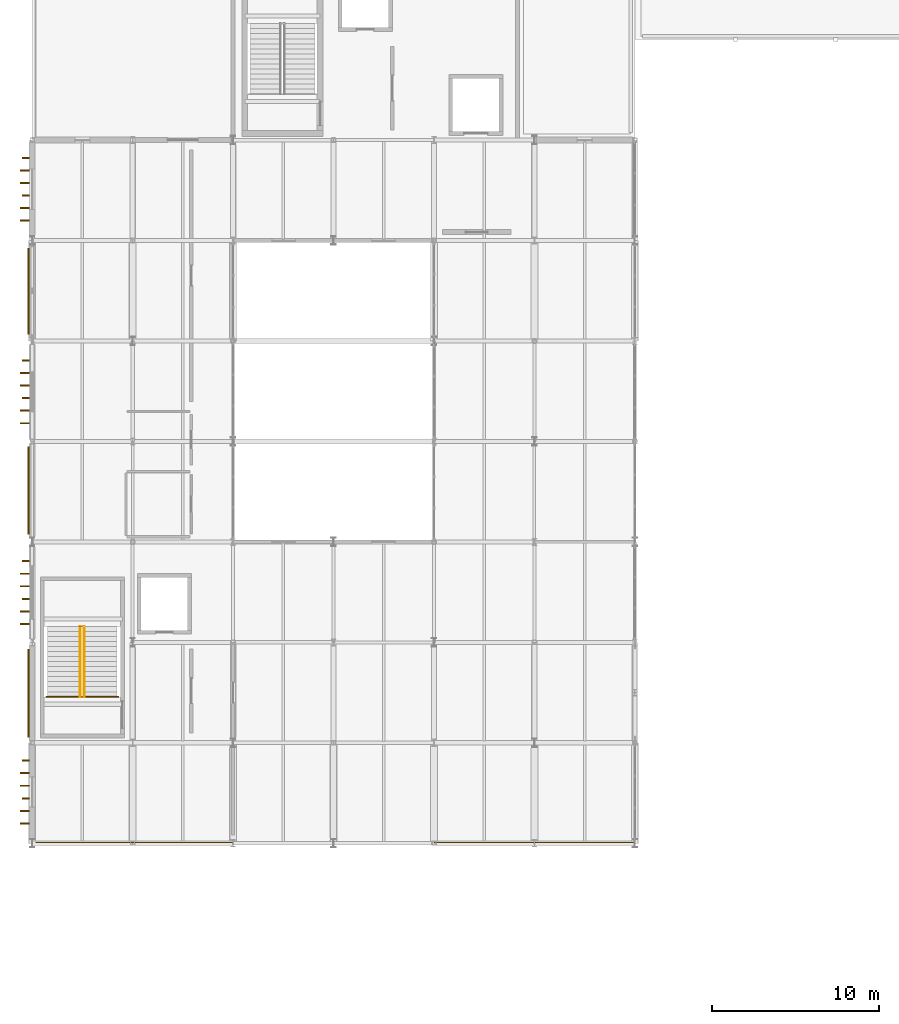
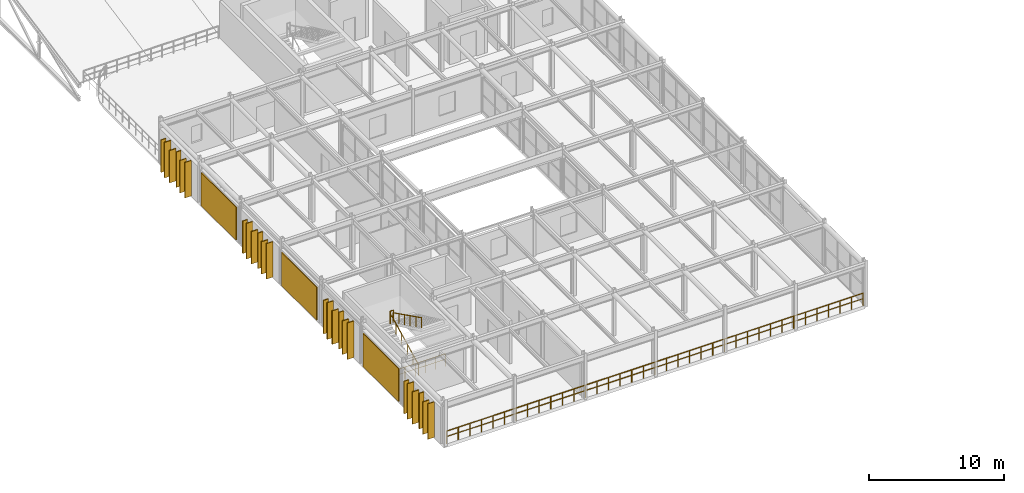
# One storey, part 74 of 83: 24 coverings, 5 railings, 3 shading devices.
"""IFC4 building model written with IfcOpenShell, lengths in metres."""

import ifcopenshell
import ifcopenshell.guid

model = None  # the IFC model being written
_history = None  # IfcOwnerHistory: only IFC2X3 demands one
_inside = {}  # id of a spatial element -> (the spatial element, [elements in it])
_under = {}  # id of a project, library or spatial element -> (it, [spatial elements below it])
_declared = {}  # id of a project -> (the project, [libraries it declares])
_typed = {}  # id of a type object -> (the type object, [elements of that type])
_made_of = {}  # id of a material, layer set ... -> (it, [elements and type objects made of it])


def new_model(schema):
    """Start an empty IFC model of exactly this schema.

    Asked for "IFC4X3", IfcOpenShell would pick the latest addendum, in which some entities
    have other attributes; the version numbers below select the first issue.
    IFC2X3 requires an IfcOwnerHistory on every rooted entity: one is made here for all.
    """
    global model, _history
    if schema == "IFC4X3":
        model = ifcopenshell.file(schema_version=(4, 3, 0, 0))
    else:
        model = ifcopenshell.file(schema=schema)
    _inside.clear()
    _under.clear()
    _declared.clear()
    _typed.clear()
    _made_of.clear()
    _history = None
    if model.schema == "IFC2X3":
        org = make("IfcOrganization", Name="unknown")
        user = make(
            "IfcPersonAndOrganization",
            ThePerson=make("IfcPerson", FamilyName="unknown"),
            TheOrganization=org,
        )
        app = make(
            "IfcApplication",
            ApplicationDeveloper=org,
            Version="unknown",
            ApplicationFullName="unknown",
            ApplicationIdentifier="unknown",
        )
        _history = make(
            "IfcOwnerHistory",
            OwningUser=user,
            OwningApplication=app,
            ChangeAction="ADDED",
            CreationDate=0,
        )
    return model


def make(cls, **values):
    """One entity of the class cls with the attributes given. An attribute that is None is left unset."""
    return model.create_entity(
        cls, **{name: value for name, value in values.items() if value is not None}
    )


def rooted(cls, **values):
    """An entity with a GlobalId (a new one), such as an element, a storey or a relation."""
    return make(cls, GlobalId=ifcopenshell.guid.new(), OwnerHistory=_history, **values)


def si_unit(unit_type, name, prefix=None):
    """IfcSIUnit, for example si_unit("LENGTHUNIT", "METRE", prefix="MILLI")."""
    return make("IfcSIUnit", UnitType=unit_type, Prefix=prefix, Name=name)


def assignment(units):
    """IfcUnitAssignment: the units of a project."""
    return None if units is None else make("IfcUnitAssignment", Units=units)


def point(xyz):
    """IfcCartesianPoint."""
    return None if xyz is None else make("IfcCartesianPoint", Coordinates=xyz)


def direction(xyz):
    """IfcDirection."""
    return None if xyz is None else make("IfcDirection", DirectionRatios=xyz)


def frame(location, z_axis=None, x_axis=None):
    """IfcAxis2Placement3D, a coordinate frame: its origin and axes. An axis left out is left unset."""
    return make(
        "IfcAxis2Placement3D",
        Location=point(location),
        Axis=direction(z_axis),
        RefDirection=direction(x_axis),
    )


def frame_2d(location, x_axis=None):
    """IfcAxis2Placement2D, a coordinate frame in the plane: its origin and x axis."""
    return make(
        "IfcAxis2Placement2D", Location=point(location), RefDirection=direction(x_axis)
    )


def origin():
    """The frame at (0, 0, 0) with its axes left unset."""
    return frame((0.0, 0.0, 0.0))


def origin_2d():
    """The frame at (0, 0) in the plane with its x axis left unset."""
    return frame_2d((0.0, 0.0))


def place(relative_to, where):
    """IfcLocalPlacement: puts the frame where relative to a parent placement (None: the world)."""
    return make(
        "IfcLocalPlacement", PlacementRelTo=relative_to, RelativePlacement=where
    )


def context(
    kind, dimensions, precision=None, world=None, true_north=None, identifier=None
):
    """IfcGeometricRepresentationContext, for example the 3D "Model" context."""
    return make(
        "IfcGeometricRepresentationContext",
        ContextIdentifier=identifier,
        ContextType=kind,
        CoordinateSpaceDimension=dimensions,
        Precision=precision,
        WorldCoordinateSystem=world,
        TrueNorth=true_north,
    )


def subcontext(parent, identifier, kind, view, scale=None):
    """IfcGeometricRepresentationSubContext, for example "Body" below "Model"."""
    return make(
        "IfcGeometricRepresentationSubContext",
        ContextIdentifier=identifier,
        ContextType=kind,
        ParentContext=parent,
        TargetScale=scale,
        TargetView=view,
    )


def project(units=None, contexts=None):
    """IfcProject with its units and contexts."""
    return rooted(
        "IfcProject",
        Name="project",
        RepresentationContexts=contexts,
        UnitsInContext=assignment(units),
    )


def spatial(cls, under=None, at=None, **own):
    """A site, building, storey or space (cls), placed at a placement, below another one or the project."""
    s = rooted(cls, ObjectPlacement=at, **own)
    if under is not None:
        _under.setdefault(under.id(), (under, []))[1].append(s)
    return s


def profile(cls, at=None, kind="AREA", **sizes):
    """A parametric profile (cls). Its sizes go by their IFC names, for example OverallWidth=200.0."""
    return make(cls, ProfileType=kind, Position=at, **sizes)


def rectangle(**sizes):
    """IfcRectangleProfileDef."""
    return profile("IfcRectangleProfileDef", **sizes)


def circle(**sizes):
    """IfcCircleProfileDef."""
    return profile("IfcCircleProfileDef", **sizes)


def extrude(swept, where, along, depth):
    """IfcExtrudedAreaSolid: the profile swept, set in the frame where, extruded along a direction by depth."""
    return make(
        "IfcExtrudedAreaSolid",
        SweptArea=swept,
        Position=where,
        ExtrudedDirection=direction(along),
        Depth=depth,
    )


def shape(context_of_items, identifier, shape_type, items):
    """IfcShapeRepresentation: the items that make up one representation, for example the "Body"."""
    return make(
        "IfcShapeRepresentation",
        ContextOfItems=context_of_items,
        RepresentationIdentifier=identifier,
        RepresentationType=shape_type,
        Items=items,
    )


def material(Name=None, Category=None):
    """IfcMaterial."""
    return make("IfcMaterial", Name=Name, Category=Category)


def layer(
    of_material, thickness, ventilated=None, Name=None, Category=None, Priority=None
):
    """IfcMaterialLayer: one layer of a wall or slab, of a material (None: an air gap)."""
    return make(
        "IfcMaterialLayer",
        Material=of_material,
        LayerThickness=thickness,
        IsVentilated=ventilated,
        Name=Name,
        Category=Category,
        Priority=Priority,
    )


def layer_set(layers, Name=None):
    """IfcMaterialLayerSet."""
    return make("IfcMaterialLayerSet", MaterialLayers=layers, LayerSetName=Name)


def made_of(thing, what):
    """Note that an element or type object is made of a material, layer set ...; save() writes the relation."""
    if what is not None:
        _made_of.setdefault(what.id(), (what, []))[1].append(thing)
    return thing


def type_object(cls, material=None, **own):
    """A type object (cls), such as IfcWallType, which elements share."""
    return made_of(rooted(cls, **own), material)


def element(
    cls,
    number,
    at=None,
    inside=None,
    cuts=None,
    type_object=None,
    material=None,
    context=None,
    identifier="Body",
    shape_type=None,
    held_by="IfcProductDefinitionShape",
    body=None,
    shapes=None,
    **own,
):
    """One element of the class cls, such as IfcWall. Its Tag is "e" and its number.

    at: its placement. inside: the storey or other place that contains it. cuts: it is an
    opening in that element (IfcRelVoidsElement). A single representation is given by context,
    identifier, shape_type and body (its items); several are given by shapes. held_by: the class
    of the entity that holds the representations. save() writes the other relations.
    """
    e = rooted(cls, Tag="e%d" % number, ObjectPlacement=at, **own)
    if body is not None:
        shapes = [shape(context, identifier, shape_type, body)]
    if shapes is not None:
        e.Representation = make(held_by, Representations=shapes)
    if inside is not None:
        _inside.setdefault(inside.id(), (inside, []))[1].append(e)
    if cuts is not None:
        rooted(
            "IfcRelVoidsElement", RelatingBuildingElement=cuts, RelatedOpeningElement=e
        )
    if type_object is not None:
        _typed.setdefault(type_object.id(), (type_object, []))[1].append(e)
    return made_of(e, material)


def aggregate(whole, parts):
    """IfcRelAggregates: a whole, such as a stair, and the parts it consists of."""
    return rooted("IfcRelAggregates", RelatingObject=whole, RelatedObjects=parts)


def save(model, path):
    """Write the relations noted so far, then the file.

    IfcRelAggregates (storeys below a building ...), IfcRelContainedInSpatialStructure (elements
    in a storey), IfcRelDefinesByType, IfcRelAssociatesMaterial and IfcRelDeclares: one each for
    every whole, place, type object, material and project.
    """
    for whole, parts in _under.values():
        aggregate(whole, parts)
    for where, things in _inside.values():
        rooted(
            "IfcRelContainedInSpatialStructure",
            RelatedElements=things,
            RelatingStructure=where,
        )
    for kind, things in _typed.values():
        rooted("IfcRelDefinesByType", RelatedObjects=things, RelatingType=kind)
    for what, things in _made_of.values():
        rooted("IfcRelAssociatesMaterial", RelatedObjects=things, RelatingMaterial=what)
    for by, libraries in _declared.values():
        rooted("IfcRelDeclares", RelatingContext=by, RelatedDefinitions=libraries)
    model.write(path)


model = new_model("IFC4")

# Units and contexts
model_context = context("Model", 3, precision=1e-05, world=origin(), true_north=direction((0.0, 1.0)))
body_context = subcontext(model_context, "Body", "Model", "MODEL_VIEW")
ifc_project = project(units=[si_unit("LENGTHUNIT", "METRE"), si_unit("AREAUNIT", "SQUARE_METRE"), si_unit("VOLUMEUNIT", "CUBIC_METRE"), si_unit("PLANEANGLEUNIT", "RADIAN"), si_unit("MASSUNIT", "GRAM", prefix="KILO")], contexts=[model_context])

# Site, building, storey
site_placement = place(None, origin())
site = spatial("IfcSite", under=ifc_project, at=site_placement, CompositionType="ELEMENT")
building_placement = place(site_placement, origin())
building = spatial("IfcBuilding", under=site, at=building_placement, Name="Varnakota Square Police Headquarters", CompositionType="ELEMENT")
storey_placement = place(building_placement, frame((0.0, 0.0, 18.0)))
storey = spatial("IfcBuildingStorey", under=building, at=storey_placement, Name="L04", CompositionType="ELEMENT", Elevation=18.0)

# Coverings
ifc_material_1 = material(Name="White Anodised Aluminium Vertical Facade Blade 420", Category="aluminium")
ifc_layer_1 = layer(ifc_material_1, 0.0849609375, Name="White Anodised Aluminium Vertical Facade Blade 420")
ifc_layer_set_1 = layer_set([ifc_layer_1], Name="White Anodised Aluminium Vertical Facade Blade 420")
covering_type_1 = type_object("IfcCoveringType", Name="COV-FIN-420", PredefinedType="CLADDING", material=ifc_layer_set_1)
covering_1_placement = place(storey_placement, frame((5.614990234375, 23.6875, 0.0400390625), z_axis=(0.0, 0.0, 1.0), x_axis=(0.0, 1.0, 0.0)))
element("IfcCovering", 1, at=covering_1_placement, inside=storey, type_object=covering_type_1, Name="Vertical aluminium facade fin FIN-1004", PredefinedType="CLADDING", context=body_context, shape_type="SweptSolid", body=[
    extrude(rectangle(XDim=0.0849609375, YDim=0.419921875, at=origin_2d()), origin(), (0.0, 0.0, 1.0), 3.2099609375),
])
covering_2_placement = place(storey_placement, frame((5.614990234375, 25.9375, 0.0400390625), z_axis=(0.0, 0.0, 1.0), x_axis=(0.0, 1.0, 0.0)))
element("IfcCovering", 2, at=covering_2_placement, inside=storey, type_object=covering_type_1, Name="Vertical aluminium facade fin FIN-1007", PredefinedType="CLADDING", context=body_context, shape_type="SweptSolid", body=[
    extrude(rectangle(XDim=0.0849609375, YDim=0.419921875, at=origin_2d()), origin(), (0.0, 0.0, 1.0), 2.929931640625),
])
covering_3_placement = place(storey_placement, frame((5.614990234375, 35.60009765625, 0.0400390625), z_axis=(0.0, 0.0, 1.0), x_axis=(0.0, 1.0, 0.0)))
element("IfcCovering", 3, at=covering_3_placement, inside=storey, type_object=covering_type_1, Name="Vertical aluminium facade fin FIN-1010", PredefinedType="CLADDING", context=body_context, shape_type="SweptSolid", body=[
    extrude(rectangle(XDim=0.0849609375, YDim=0.419921875, at=origin_2d()), origin(), (0.0, 0.0, 1.0), 3.31005859375),
])
covering_4_placement = place(storey_placement, frame((5.614990234375, 37.85009765625, 0.0400390625), z_axis=(0.0, 0.0, 1.0), x_axis=(0.0, 1.0, 0.0)))
element("IfcCovering", 4, at=covering_4_placement, inside=storey, type_object=covering_type_1, Name="Vertical aluminium facade fin FIN-1013", PredefinedType="CLADDING", context=body_context, shape_type="SweptSolid", body=[
    extrude(rectangle(XDim=0.0849609375, YDim=0.419921875, at=origin_2d()), origin(), (0.0, 0.0, 1.0), 3.030029296875),
])
covering_5_placement = place(storey_placement, frame((5.614990234375, 47.58740234375, 0.0400390625), z_axis=(0.0, 0.0, 1.0), x_axis=(0.0, 1.0, 0.0)))
element("IfcCovering", 5, at=covering_5_placement, inside=storey, type_object=covering_type_1, Name="Vertical aluminium facade fin FIN-1016", PredefinedType="CLADDING", context=body_context, shape_type="SweptSolid", body=[
    extrude(rectangle(XDim=0.0849609375, YDim=0.419921875, at=origin_2d()), origin(), (0.0, 0.0, 1.0), 3.2099609375),
])
covering_6_placement = place(storey_placement, frame((5.614990234375, 49.83740234375, 0.0400390625), z_axis=(0.0, 0.0, 1.0), x_axis=(0.0, 1.0, 0.0)))
element("IfcCovering", 6, at=covering_6_placement, inside=storey, type_object=covering_type_1, Name="Vertical aluminium facade fin FIN-1019", PredefinedType="CLADDING", context=body_context, shape_type="SweptSolid", body=[
    extrude(rectangle(XDim=0.0849609375, YDim=0.419921875, at=origin_2d()), origin(), (0.0, 0.0, 1.0), 2.929931640625),
])
covering_7_placement = place(storey_placement, frame((5.614990234375, 59.6875, 0.0400390625), z_axis=(0.0, 0.0, 1.0), x_axis=(0.0, 1.0, 0.0)))
element("IfcCovering", 7, at=covering_7_placement, inside=storey, type_object=covering_type_1, Name="Vertical aluminium facade fin FIN-1022", PredefinedType="CLADDING", context=body_context, shape_type="SweptSolid", body=[
    extrude(rectangle(XDim=0.0849609375, YDim=0.419921875, at=origin_2d()), origin(), (0.0, 0.0, 1.0), 3.2099609375),
])
covering_8_placement = place(storey_placement, frame((5.614990234375, 61.9375, 0.0400390625), z_axis=(0.0, 0.0, 1.0), x_axis=(0.0, 1.0, 0.0)))
element("IfcCovering", 8, at=covering_8_placement, inside=storey, type_object=covering_type_1, Name="Vertical aluminium facade fin FIN-1025", PredefinedType="CLADDING", context=body_context, shape_type="SweptSolid", body=[
    extrude(rectangle(XDim=0.0849609375, YDim=0.419921875, at=origin_2d()), origin(), (0.0, 0.0, 1.0), 2.929931640625),
])
ifc_material_2 = material(Name="White Anodised Aluminium Vertical Facade Blade 550", Category="aluminium")
ifc_layer_2 = layer(ifc_material_2, 0.0849609375, Name="White Anodised Aluminium Vertical Facade Blade 550")
ifc_layer_set_2 = layer_set([ifc_layer_2], Name="White Anodised Aluminium Vertical Facade Blade 550")
covering_type_2 = type_object("IfcCoveringType", Name="COV-FIN-550", PredefinedType="CLADDING", material=ifc_layer_set_2)
covering_9_placement = place(storey_placement, frame((5.550048828125, 22.1875, 0.0400390625), z_axis=(0.0, 0.0, 1.0), x_axis=(0.0, 1.0, 0.0)))
element("IfcCovering", 9, at=covering_9_placement, inside=storey, type_object=covering_type_2, Name="Vertical aluminium facade fin FIN-1002", PredefinedType="CLADDING", context=body_context, shape_type="SweptSolid", body=[
    extrude(rectangle(XDim=0.0849609375, YDim=0.550048828125, at=origin_2d()), origin(), (0.0, 0.0, 1.0), 3.2099609375),
])
for number, where, z_axis, x_axis, name in (
    (10, (5.550048828125, 22.9375, 0.0400390625), (0.0, 0.0, 1.0), (0.0, 1.0, 0.0), "Vertical aluminium facade fin FIN-1003"),
    (11, (5.550048828125, 24.4375, 0.0400390625), (0.0, 0.0, 1.0), (0.0, 1.0, 0.0), "Vertical aluminium facade fin FIN-1005"),
):
    element("IfcCovering", number, at=place(storey_placement, frame(where, z_axis=z_axis, x_axis=x_axis)), inside=storey, type_object=covering_type_2, Name=name, PredefinedType="CLADDING", context=body_context, shape_type="SweptSolid", body=[
        extrude(rectangle(XDim=0.0849609375, YDim=0.550048828125, at=origin_2d()), origin(), (0.0, 0.0, 1.0), 2.929931640625),
    ])
covering_10_placement = place(storey_placement, frame((5.550048828125, 25.1875, 0.0400390625), z_axis=(0.0, 0.0, 1.0), x_axis=(0.0, 1.0, 0.0)))
element("IfcCovering", 12, at=covering_10_placement, inside=storey, type_object=covering_type_2, Name="Vertical aluminium facade fin FIN-1006", PredefinedType="CLADDING", context=body_context, shape_type="SweptSolid", body=[
    extrude(rectangle(XDim=0.0849609375, YDim=0.550048828125, at=origin_2d()), origin(), (0.0, 0.0, 1.0), 3.2099609375),
])
covering_11_placement = place(storey_placement, frame((5.550048828125, 34.10009765625, 0.0400390625), z_axis=(0.0, 0.0, 1.0), x_axis=(0.0, 1.0, 0.0)))
element("IfcCovering", 13, at=covering_11_placement, inside=storey, type_object=covering_type_2, Name="Vertical aluminium facade fin FIN-1008", PredefinedType="CLADDING", context=body_context, shape_type="SweptSolid", body=[
    extrude(rectangle(XDim=0.0849609375, YDim=0.550048828125, at=origin_2d()), origin(), (0.0, 0.0, 1.0), 3.31005859375),
])
for number, where, z_axis, x_axis, name in (
    (14, (5.550048828125, 34.85009765625, 0.0400390625), (0.0, 0.0, 1.0), (0.0, 1.0, 0.0), "Vertical aluminium facade fin FIN-1009"),
    (15, (5.550048828125, 36.35009765625, 0.0400390625), (0.0, 0.0, 1.0), (0.0, 1.0, 0.0), "Vertical aluminium facade fin FIN-1011"),
):
    element("IfcCovering", number, at=place(storey_placement, frame(where, z_axis=z_axis, x_axis=x_axis)), inside=storey, type_object=covering_type_2, Name=name, PredefinedType="CLADDING", context=body_context, shape_type="SweptSolid", body=[
        extrude(rectangle(XDim=0.0849609375, YDim=0.550048828125, at=origin_2d()), origin(), (0.0, 0.0, 1.0), 3.030029296875),
    ])
covering_12_placement = place(storey_placement, frame((5.550048828125, 37.10009765625, 0.0400390625), z_axis=(0.0, 0.0, 1.0), x_axis=(0.0, 1.0, 0.0)))
element("IfcCovering", 16, at=covering_12_placement, inside=storey, type_object=covering_type_2, Name="Vertical aluminium facade fin FIN-1012", PredefinedType="CLADDING", context=body_context, shape_type="SweptSolid", body=[
    extrude(rectangle(XDim=0.0849609375, YDim=0.550048828125, at=origin_2d()), origin(), (0.0, 0.0, 1.0), 3.31005859375),
])
covering_13_placement = place(storey_placement, frame((5.550048828125, 46.08740234375, 0.0400390625), z_axis=(0.0, 0.0, 1.0), x_axis=(0.0, 1.0, 0.0)))
element("IfcCovering", 17, at=covering_13_placement, inside=storey, type_object=covering_type_2, Name="Vertical aluminium facade fin FIN-1014", PredefinedType="CLADDING", context=body_context, shape_type="SweptSolid", body=[
    extrude(rectangle(XDim=0.0849609375, YDim=0.550048828125, at=origin_2d()), origin(), (0.0, 0.0, 1.0), 3.2099609375),
])
for number, where, z_axis, x_axis, name in (
    (18, (5.550048828125, 46.83740234375, 0.0400390625), (0.0, 0.0, 1.0), (0.0, 1.0, 0.0), "Vertical aluminium facade fin FIN-1015"),
    (19, (5.550048828125, 48.33740234375, 0.0400390625), (0.0, 0.0, 1.0), (0.0, 1.0, 0.0), "Vertical aluminium facade fin FIN-1017"),
):
    element("IfcCovering", number, at=place(storey_placement, frame(where, z_axis=z_axis, x_axis=x_axis)), inside=storey, type_object=covering_type_2, Name=name, PredefinedType="CLADDING", context=body_context, shape_type="SweptSolid", body=[
        extrude(rectangle(XDim=0.0849609375, YDim=0.550048828125, at=origin_2d()), origin(), (0.0, 0.0, 1.0), 2.929931640625),
    ])
for number, where, z_axis, x_axis, name in (
    (20, (5.550048828125, 49.08740234375, 0.0400390625), (0.0, 0.0, 1.0), (0.0, 1.0, 0.0), "Vertical aluminium facade fin FIN-1018"),
    (21, (5.550048828125, 58.1875, 0.0400390625), (0.0, 0.0, 1.0), (0.0, 1.0, 0.0), "Vertical aluminium facade fin FIN-1020"),
):
    element("IfcCovering", number, at=place(storey_placement, frame(where, z_axis=z_axis, x_axis=x_axis)), inside=storey, type_object=covering_type_2, Name=name, PredefinedType="CLADDING", context=body_context, shape_type="SweptSolid", body=[
        extrude(rectangle(XDim=0.0849609375, YDim=0.550048828125, at=origin_2d()), origin(), (0.0, 0.0, 1.0), 3.2099609375),
    ])
for number, where, z_axis, x_axis, name in (
    (22, (5.550048828125, 58.9375, 0.0400390625), (0.0, 0.0, 1.0), (0.0, 1.0, 0.0), "Vertical aluminium facade fin FIN-1021"),
    (23, (5.550048828125, 60.4375, 0.0400390625), (0.0, 0.0, 1.0), (0.0, 1.0, 0.0), "Vertical aluminium facade fin FIN-1023"),
):
    element("IfcCovering", number, at=place(storey_placement, frame(where, z_axis=z_axis, x_axis=x_axis)), inside=storey, type_object=covering_type_2, Name=name, PredefinedType="CLADDING", context=body_context, shape_type="SweptSolid", body=[
        extrude(rectangle(XDim=0.0849609375, YDim=0.550048828125, at=origin_2d()), origin(), (0.0, 0.0, 1.0), 2.929931640625),
    ])
covering_14_placement = place(storey_placement, frame((5.550048828125, 61.1875, 0.0400390625), z_axis=(0.0, 0.0, 1.0), x_axis=(0.0, 1.0, 0.0)))
element("IfcCovering", 24, at=covering_14_placement, inside=storey, type_object=covering_type_2, Name="Vertical aluminium facade fin FIN-1024", PredefinedType="CLADDING", context=body_context, shape_type="SweptSolid", body=[
    extrude(rectangle(XDim=0.0849609375, YDim=0.550048828125, at=origin_2d()), origin(), (0.0, 0.0, 1.0), 3.2099609375),
])

# Railings
ifc_material_3 = material(Name="Galvanised Powder-Coated Steel Guardrail", Category="steel")
railing_type_1 = type_object("IfcRailingType", Name="RL-BAL-1150", PredefinedType="BALUSTRADE", material=ifc_material_3)
railing_1_placement = place(storey_placement, frame((41.875732421875, 21.050048828125, 0.0)))
element("IfcRailing", 25, at=railing_1_placement, inside=storey, type_object=railing_type_1, Name="Perimeter edge safety guard GD-AUTO-L04-085", PredefinedType="BALUSTRADE", context=body_context, shape_type="SweptSolid", body=[
    extrude(circle(Radius=0.02392578125, at=origin_2d()), frame((0.0, 0.0, 1.1259765625), z_axis=(-1.0, 0.0, 0.0), x_axis=(0.0, -1.0, 0.0)), (0.0, 0.0, 1.0), 35.629150390625),
    extrude(circle(Radius=0.01806640625, at=origin_2d()), frame((0.0, 0.0, 0.63232421875), z_axis=(-1.0, 0.0, 0.0), x_axis=(0.0, -1.0, 0.0)), (0.0, 0.0, 1.0), 35.629150390625),
    extrude(circle(Radius=0.02099609375, at=origin_2d()), origin(), (0.0, 0.0, 1.0), 1.101806640625),
    extrude(circle(Radius=0.02099609375, at=origin_2d()), frame((-0.98974609375, 0.0, 0.0)), (0.0, 0.0, 1.0), 1.101806640625),
    extrude(circle(Radius=0.02099609375, at=origin_2d()), frame((-1.9794921875, 0.0, 0.0)), (0.0, 0.0, 1.0), 1.101806640625),
    extrude(circle(Radius=0.02099609375, at=origin_2d()), frame((-2.968994140625, 0.0, 0.0)), (0.0, 0.0, 1.0), 1.101806640625),
    extrude(circle(Radius=0.02099609375, at=origin_2d()), frame((-3.958740234375, 0.0, 0.0)), (0.0, 0.0, 1.0), 1.101806640625),
    extrude(circle(Radius=0.02099609375, at=origin_2d()), frame((-4.948486328125, 0.0, 0.0)), (0.0, 0.0, 1.0), 1.101806640625),
    extrude(circle(Radius=0.02099609375, at=origin_2d()), frame((-5.938232421875, 0.0, 0.0)), (0.0, 0.0, 1.0), 1.101806640625),
    extrude(circle(Radius=0.02099609375, at=origin_2d()), frame((-6.927978515625, 0.0, 0.0)), (0.0, 0.0, 1.0), 1.101806640625),
    extrude(circle(Radius=0.02099609375, at=origin_2d()), frame((-7.91748046875, 0.0, 0.0)), (0.0, 0.0, 1.0), 1.101806640625),
    extrude(circle(Radius=0.02099609375, at=origin_2d()), frame((-8.9072265625, 0.0, 0.0)), (0.0, 0.0, 1.0), 1.101806640625),
    extrude(circle(Radius=0.02099609375, at=origin_2d()), frame((-9.89697265625, 0.0, 0.0)), (0.0, 0.0, 1.0), 1.101806640625),
    extrude(circle(Radius=0.02099609375, at=origin_2d()), frame((-10.88671875, 0.0, 0.0)), (0.0, 0.0, 1.0), 1.101806640625),
    extrude(circle(Radius=0.02099609375, at=origin_2d()), frame((-11.87646484375, 0.0, 0.0)), (0.0, 0.0, 1.0), 1.101806640625),
    extrude(circle(Radius=0.02099609375, at=origin_2d()), frame((-12.865966796875, 0.0, 0.0)), (0.0, 0.0, 1.0), 1.101806640625),
    extrude(circle(Radius=0.02099609375, at=origin_2d()), frame((-13.855712890625, 0.0, 0.0)), (0.0, 0.0, 1.0), 1.101806640625),
    extrude(circle(Radius=0.02099609375, at=origin_2d()), frame((-14.845458984375, 0.0, 0.0)), (0.0, 0.0, 1.0), 1.101806640625),
    extrude(circle(Radius=0.02099609375, at=origin_2d()), frame((-15.835205078125, 0.0, 0.0)), (0.0, 0.0, 1.0), 1.101806640625),
    extrude(circle(Radius=0.02099609375, at=origin_2d()), frame((-16.824951171875, 0.0, 0.0)), (0.0, 0.0, 1.0), 1.101806640625),
    extrude(circle(Radius=0.02099609375, at=origin_2d()), frame((-17.814453125, 0.0, 0.0)), (0.0, 0.0, 1.0), 1.101806640625),
    extrude(circle(Radius=0.02099609375, at=origin_2d()), frame((-18.80419921875, 0.0, 0.0)), (0.0, 0.0, 1.0), 1.101806640625),
    extrude(circle(Radius=0.02099609375, at=origin_2d()), frame((-19.7939453125, 0.0, 0.0)), (0.0, 0.0, 1.0), 1.101806640625),
    extrude(circle(Radius=0.02099609375, at=origin_2d()), frame((-20.78369140625, 0.0, 0.0)), (0.0, 0.0, 1.0), 1.101806640625),
    extrude(circle(Radius=0.02099609375, at=origin_2d()), frame((-21.7734375, 0.0, 0.0)), (0.0, 0.0, 1.0), 1.101806640625),
    extrude(circle(Radius=0.02099609375, at=origin_2d()), frame((-22.76318359375, 0.0, 0.0)), (0.0, 0.0, 1.0), 1.101806640625),
    extrude(circle(Radius=0.02099609375, at=origin_2d()), frame((-23.752685546875, 0.0, 0.0)), (0.0, 0.0, 1.0), 1.101806640625),
    extrude(circle(Radius=0.02099609375, at=origin_2d()), frame((-24.742431640625, 0.0, 0.0)), (0.0, 0.0, 1.0), 1.101806640625),
    extrude(circle(Radius=0.02099609375, at=origin_2d()), frame((-25.732177734375, 0.0, 0.0)), (0.0, 0.0, 1.0), 1.101806640625),
    extrude(circle(Radius=0.02099609375, at=origin_2d()), frame((-26.721923828125, 0.0, 0.0)), (0.0, 0.0, 1.0), 1.101806640625),
    extrude(circle(Radius=0.02099609375, at=origin_2d()), frame((-27.711669921875, 0.0, 0.0)), (0.0, 0.0, 1.0), 1.101806640625),
    extrude(circle(Radius=0.02099609375, at=origin_2d()), frame((-28.701171875, 0.0, 0.0)), (0.0, 0.0, 1.0), 1.101806640625),
    extrude(circle(Radius=0.02099609375, at=origin_2d()), frame((-29.69091796875, 0.0, 0.0)), (0.0, 0.0, 1.0), 1.101806640625),
    extrude(circle(Radius=0.02099609375, at=origin_2d()), frame((-30.6806640625, 0.0, 0.0)), (0.0, 0.0, 1.0), 1.101806640625),
    extrude(circle(Radius=0.02099609375, at=origin_2d()), frame((-31.67041015625, 0.0, 0.0)), (0.0, 0.0, 1.0), 1.101806640625),
    extrude(circle(Radius=0.02099609375, at=origin_2d()), frame((-32.66015625, 0.0, 0.0)), (0.0, 0.0, 1.0), 1.101806640625),
    extrude(circle(Radius=0.02099609375, at=origin_2d()), frame((-33.649658203125, 0.0, 0.0)), (0.0, 0.0, 1.0), 1.101806640625),
    extrude(circle(Radius=0.02099609375, at=origin_2d()), frame((-34.639404296875, 0.0, 0.0)), (0.0, 0.0, 1.0), 1.101806640625),
    extrude(circle(Radius=0.02099609375, at=origin_2d()), frame((-35.629150390625, 0.0, 0.0)), (0.0, 0.0, 1.0), 1.101806640625),
])
ifc_material_4 = material(Name="Brushed Stainless Steel Tubular Handrail", Category="steel")
railing_type_2 = type_object("IfcRailingType", Name="RL-HND-920", PredefinedType="HANDRAIL", material=ifc_material_4)
railing_2_placement = place(storey_placement, frame((8.8798828125, 29.75, 0.0)))
element("IfcRailing", 26, at=railing_2_placement, inside=storey, type_object=railing_type_2, Name="Stair flight handrail HR-L04-051", PredefinedType="HANDRAIL", context=body_context, shape_type="SweptSolid", body=[
    extrude(circle(Radius=0.02392578125, at=origin_2d()), frame((0.0, 0.0, 0.89599609375), z_axis=(0.0, 0.894447983895, 0.447172007292), x_axis=(-1.0, 0.0, 0.0)), (0.0, 0.0, 1.0), 4.6962890625),
    extrude(circle(Radius=0.02099609375, at=origin_2d()), origin(), (0.0, 0.0, 1.0), 0.871826171875),
    extrude(circle(Radius=0.02099609375, at=origin_2d()), frame((0.0, 0.840087890625, 0.419921875)), (0.0, 0.0, 1.0), 0.871826171875),
    extrude(circle(Radius=0.02099609375, at=origin_2d()), frame((0.0, 1.68017578125, 0.840087890625)), (0.0, 0.0, 1.0), 0.871826171875),
    extrude(circle(Radius=0.02099609375, at=origin_2d()), frame((0.0, 2.5205078125, 1.260009765625)), (0.0, 0.0, 1.0), 0.871826171875),
    extrude(circle(Radius=0.02099609375, at=origin_2d()), frame((0.0, 3.360595703125, 1.68017578125)), (0.0, 0.0, 1.0), 0.871826171875),
    extrude(circle(Radius=0.02099609375, at=origin_2d()), frame((0.0, 4.20068359375, 2.10009765625)), (0.0, 0.0, 1.0), 0.871826171875),
])
railing_3_placement = place(storey_placement, frame((9.1201171875, 33.95068359375, 2.10009765625)))
element("IfcRailing", 27, at=railing_3_placement, inside=storey, type_object=railing_type_2, Name="Stair flight handrail HR-L04-052", PredefinedType="HANDRAIL", context=body_context, shape_type="SweptSolid", body=[
    extrude(circle(Radius=0.02392578125, at=origin_2d()), frame((0.0, 0.0, 0.89599609375), z_axis=(0.0, -0.894468775824, 0.447130416184), x_axis=(1.0, 0.0, 0.0)), (0.0, 0.0, 1.0), 4.6962890625),
    extrude(circle(Radius=0.02099609375, at=origin_2d()), origin(), (0.0, 0.0, 1.0), 0.871826171875),
    extrude(circle(Radius=0.02099609375, at=origin_2d()), frame((0.0, -0.840087890625, 0.419921875)), (0.0, 0.0, 1.0), 0.871826171875),
    extrude(circle(Radius=0.02099609375, at=origin_2d()), frame((0.0, -1.68017578125, 0.83984375)), (0.0, 0.0, 1.0), 0.871826171875),
    extrude(circle(Radius=0.02099609375, at=origin_2d()), frame((0.0, -2.5205078125, 1.260009765625)), (0.0, 0.0, 1.0), 0.871826171875),
    extrude(circle(Radius=0.02099609375, at=origin_2d()), frame((0.0, -3.360595703125, 1.679931640625)), (0.0, 0.0, 1.0), 0.871826171875),
    extrude(circle(Radius=0.02099609375, at=origin_2d()), frame((0.0, -4.20068359375, 2.099853515625)), (0.0, 0.0, 1.0), 0.871826171875),
])
ifc_material_5 = material(Name="Laminated Glass and Stainless Steel Balustrade", Category="steel")
railing_type_3 = type_object("IfcRailingType", Name="RL-INT-1150", PredefinedType="BALUSTRADE", material=ifc_material_5)
railing_4_placement = place(storey_placement, frame((6.840087890625, 29.75, 0.0)))
element("IfcRailing", 28, at=railing_4_placement, inside=storey, type_object=railing_type_3, Name="Stair well safety guard C4 L04", PredefinedType="BALUSTRADE", context=body_context, shape_type="SweptSolid", body=[
    extrude(circle(Radius=0.02392578125, at=origin_2d()), frame((0.0, 0.0, 1.1259765625), z_axis=(1.0, 0.0, 0.0), x_axis=(0.0, 1.0, 0.0)), (0.0, 0.0, 1.0), 4.31982421875),
    extrude(circle(Radius=0.01806640625, at=origin_2d()), frame((0.0, 0.0, 0.63232421875), z_axis=(1.0, 0.0, 0.0), x_axis=(0.0, 1.0, 0.0)), (0.0, 0.0, 1.0), 4.31982421875),
    extrude(circle(Radius=0.02099609375, at=origin_2d()), origin(), (0.0, 0.0, 1.0), 1.101806640625),
    extrude(circle(Radius=0.02099609375, at=origin_2d()), frame((0.864013671875, 0.0, 0.0)), (0.0, 0.0, 1.0), 1.101806640625),
    extrude(circle(Radius=0.02099609375, at=origin_2d()), frame((1.72802734375, 0.0, 0.0)), (0.0, 0.0, 1.0), 1.101806640625),
    extrude(circle(Radius=0.02099609375, at=origin_2d()), frame((2.591796875, 0.0, 0.0)), (0.0, 0.0, 1.0), 1.101806640625),
    extrude(circle(Radius=0.02099609375, at=origin_2d()), frame((3.455810546875, 0.0, 0.0)), (0.0, 0.0, 1.0), 1.101806640625),
    extrude(circle(Radius=0.02099609375, at=origin_2d()), frame((4.31982421875, 0.0, 0.0)), (0.0, 0.0, 1.0), 1.101806640625),
])
railing_5_placement = place(storey_placement, frame((8.869873046875, 33.95068359375, 2.10009765625)))
element("IfcRailing", 29, at=railing_5_placement, inside=storey, type_object=railing_type_3, Name="Half-landing well guard C4 L04", PredefinedType="BALUSTRADE", context=body_context, shape_type="SweptSolid", body=[
    extrude(circle(Radius=0.02392578125, at=origin_2d()), frame((0.0, 0.0, 1.1259765625), z_axis=(1.0, 0.0, 0.0), x_axis=(0.0, 1.0, 0.0)), (0.0, 0.0, 1.0), 0.26025390625),
    extrude(circle(Radius=0.01806640625, at=origin_2d()), frame((0.0, 0.0, 0.63232421875), z_axis=(1.0, 0.0, 0.0), x_axis=(0.0, 1.0, 0.0)), (0.0, 0.0, 1.0), 0.26025390625),
    extrude(circle(Radius=0.02099609375, at=origin_2d()), origin(), (0.0, 0.0, 1.0), 1.101806640625),
    extrude(circle(Radius=0.02099609375, at=origin_2d()), frame((0.26025390625, 0.0, 0.0)), (0.0, 0.0, 1.0), 1.101806640625),
])

# Shading devices
ifc_material_6 = material(Name="Perforated Sandstone-Toned GRC Jali Screen", Category="masonry")
ifc_layer_3 = layer(ifc_material_6, 0.080078125, Name="Perforated Sandstone-Toned GRC Jali Screen")
ifc_layer_set_3 = layer_set([ifc_layer_3], Name="Perforated Sandstone-Toned GRC Jali Screen")
shading_device_type = type_object("IfcShadingDeviceType", Name="SHD-SCR-GRC", PredefinedType="USERDEFINED", material=ifc_layer_set_3)
shading_device_1_placement = place(storey_placement, frame((5.781982421875, 29.96240234375, 0.14990234375), z_axis=(0.0, 0.0, 1.0), x_axis=(0.0, 1.0, 0.0)))
element("IfcShadingDevice", 30, at=shading_device_1_placement, inside=storey, type_object=shading_device_type, Name="Perforated GRC solar screen SCR-018", ObjectType="SOLAR SCREEN", PredefinedType="USERDEFINED", context=body_context, shape_type="SweptSolid", body=[
    extrude(rectangle(XDim=5.26708984375, YDim=0.080078125, at=origin_2d()), origin(), (0.0, 0.0, 1.0), 2.989990234375),
])
shading_device_2_placement = place(storey_placement, frame((5.781982421875, 42.0625, 0.14990234375), z_axis=(0.0, 0.0, 1.0), x_axis=(0.0, 1.0, 0.0)))
element("IfcShadingDevice", 31, at=shading_device_2_placement, inside=storey, type_object=shading_device_type, Name="Perforated GRC solar screen SCR-019", ObjectType="SOLAR SCREEN", PredefinedType="USERDEFINED", context=body_context, shape_type="SweptSolid", body=[
    extrude(rectangle(XDim=5.217041015625, YDim=0.080078125, at=origin_2d()), origin(), (0.0, 0.0, 1.0), 2.989990234375),
])
shading_device_3_placement = place(storey_placement, frame((5.781982421875, 53.97509765625, 0.14990234375), z_axis=(0.0, 0.0, 1.0), x_axis=(0.0, 1.0, 0.0)))
element("IfcShadingDevice", 32, at=shading_device_3_placement, inside=storey, type_object=shading_device_type, Name="Perforated GRC solar screen SCR-020", ObjectType="SOLAR SCREEN", PredefinedType="USERDEFINED", context=body_context, shape_type="SweptSolid", body=[
    extrude(rectangle(XDim=5.14208984375, YDim=0.080078125, at=origin_2d()), origin(), (0.0, 0.0, 1.0), 2.989990234375),
])

save(model, "model.ifc")
